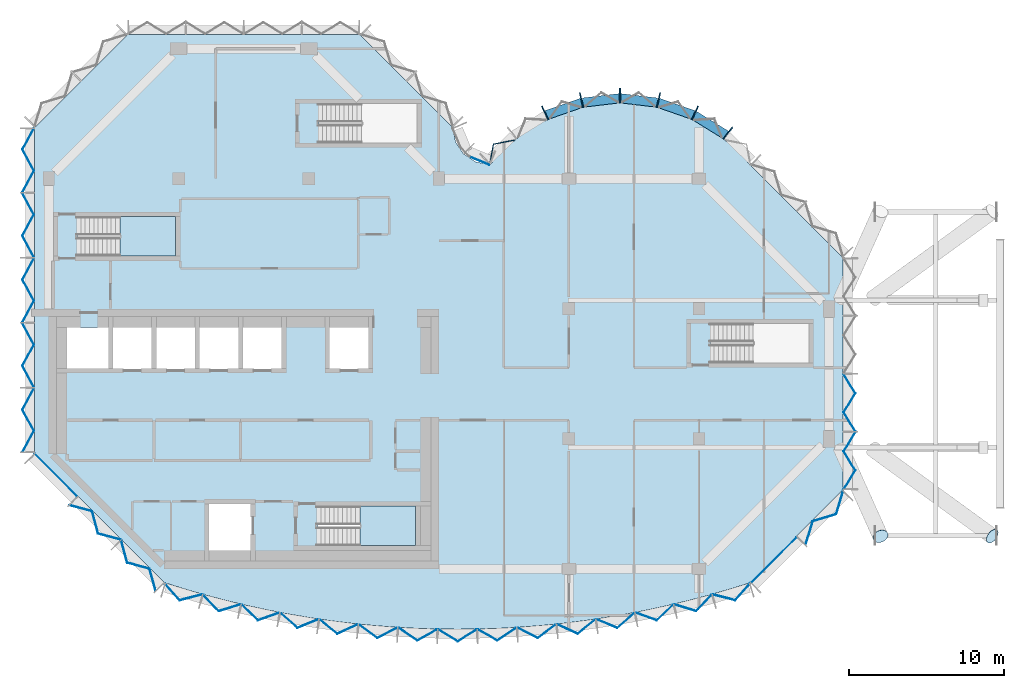
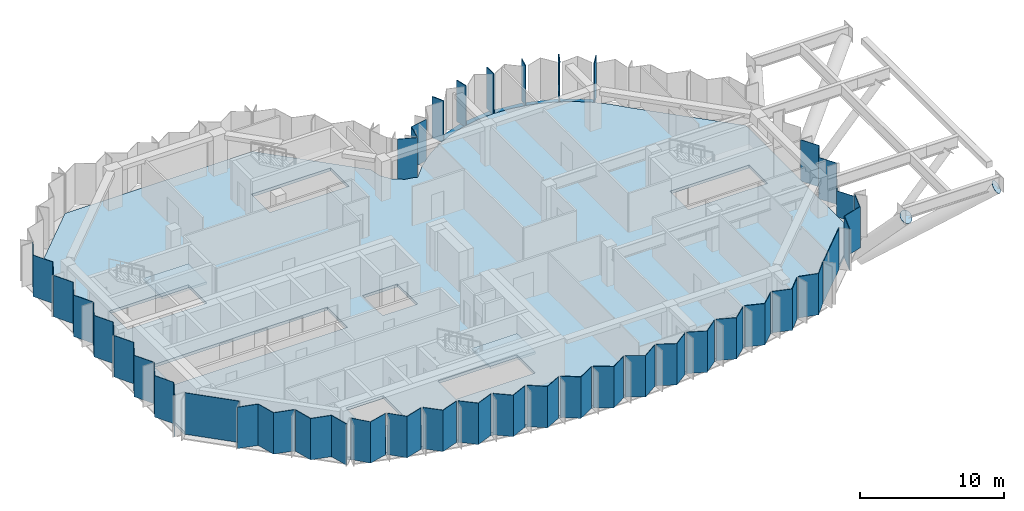
# One storey, part 3 of 11: 31 plates, 11 members, 3 slabs, 9 elements without a shape of their own.
"""IFC4 building model written with IfcOpenShell, lengths in metres."""

import ifcopenshell
import ifcopenshell.guid

model = None  # the IFC model being written
_history = None  # IfcOwnerHistory: only IFC2X3 demands one
_inside = {}  # id of a spatial element -> (the spatial element, [elements in it])
_under = {}  # id of a project, library or spatial element -> (it, [spatial elements below it])
_declared = {}  # id of a project -> (the project, [libraries it declares])
_typed = {}  # id of a type object -> (the type object, [elements of that type])
_made_of = {}  # id of a material, layer set ... -> (it, [elements and type objects made of it])


def new_model(schema):
    """Start an empty IFC model of exactly this schema.

    Asked for "IFC4X3", IfcOpenShell would pick the latest addendum, in which some entities
    have other attributes; the version numbers below select the first issue.
    IFC2X3 requires an IfcOwnerHistory on every rooted entity: one is made here for all.
    """
    global model, _history
    if schema == "IFC4X3":
        model = ifcopenshell.file(schema_version=(4, 3, 0, 0))
    else:
        model = ifcopenshell.file(schema=schema)
    _inside.clear()
    _under.clear()
    _declared.clear()
    _typed.clear()
    _made_of.clear()
    _history = None
    if model.schema == "IFC2X3":
        org = make("IfcOrganization", Name="unknown")
        user = make(
            "IfcPersonAndOrganization",
            ThePerson=make("IfcPerson", FamilyName="unknown"),
            TheOrganization=org,
        )
        app = make(
            "IfcApplication",
            ApplicationDeveloper=org,
            Version="unknown",
            ApplicationFullName="unknown",
            ApplicationIdentifier="unknown",
        )
        _history = make(
            "IfcOwnerHistory",
            OwningUser=user,
            OwningApplication=app,
            ChangeAction="ADDED",
            CreationDate=0,
        )
    return model


def make(cls, **values):
    """One entity of the class cls with the attributes given. An attribute that is None is left unset."""
    return model.create_entity(
        cls, **{name: value for name, value in values.items() if value is not None}
    )


def rooted(cls, **values):
    """An entity with a GlobalId (a new one), such as an element, a storey or a relation."""
    return make(cls, GlobalId=ifcopenshell.guid.new(), OwnerHistory=_history, **values)


def si_unit(unit_type, name, prefix=None):
    """IfcSIUnit, for example si_unit("LENGTHUNIT", "METRE", prefix="MILLI")."""
    return make("IfcSIUnit", UnitType=unit_type, Prefix=prefix, Name=name)


def assignment(units):
    """IfcUnitAssignment: the units of a project."""
    return None if units is None else make("IfcUnitAssignment", Units=units)


def point(xyz):
    """IfcCartesianPoint."""
    return None if xyz is None else make("IfcCartesianPoint", Coordinates=xyz)


def direction(xyz):
    """IfcDirection."""
    return None if xyz is None else make("IfcDirection", DirectionRatios=xyz)


def frame(location, z_axis=None, x_axis=None):
    """IfcAxis2Placement3D, a coordinate frame: its origin and axes. An axis left out is left unset."""
    return make(
        "IfcAxis2Placement3D",
        Location=point(location),
        Axis=direction(z_axis),
        RefDirection=direction(x_axis),
    )


def frame_2d(location, x_axis=None):
    """IfcAxis2Placement2D, a coordinate frame in the plane: its origin and x axis."""
    return make(
        "IfcAxis2Placement2D", Location=point(location), RefDirection=direction(x_axis)
    )


def origin():
    """The frame at (0, 0, 0) with its axes left unset."""
    return frame((0.0, 0.0, 0.0))


def origin_2d():
    """The frame at (0, 0) in the plane with its x axis left unset."""
    return frame_2d((0.0, 0.0))


def place(relative_to, where):
    """IfcLocalPlacement: puts the frame where relative to a parent placement (None: the world)."""
    return make(
        "IfcLocalPlacement", PlacementRelTo=relative_to, RelativePlacement=where
    )


def context(
    kind, dimensions, precision=None, world=None, true_north=None, identifier=None
):
    """IfcGeometricRepresentationContext, for example the 3D "Model" context."""
    return make(
        "IfcGeometricRepresentationContext",
        ContextIdentifier=identifier,
        ContextType=kind,
        CoordinateSpaceDimension=dimensions,
        Precision=precision,
        WorldCoordinateSystem=world,
        TrueNorth=true_north,
    )


def subcontext(parent, identifier, kind, view, scale=None):
    """IfcGeometricRepresentationSubContext, for example "Body" below "Model"."""
    return make(
        "IfcGeometricRepresentationSubContext",
        ContextIdentifier=identifier,
        ContextType=kind,
        ParentContext=parent,
        TargetScale=scale,
        TargetView=view,
    )


def project(units=None, contexts=None):
    """IfcProject with its units and contexts."""
    return rooted(
        "IfcProject",
        Name="project",
        RepresentationContexts=contexts,
        UnitsInContext=assignment(units),
    )


def spatial(cls, under=None, at=None, **own):
    """A site, building, storey or space (cls), placed at a placement, below another one or the project."""
    s = rooted(cls, ObjectPlacement=at, **own)
    if under is not None:
        _under.setdefault(under.id(), (under, []))[1].append(s)
    return s


def polyline(points):
    """IfcPolyline through the points."""
    return make("IfcPolyline", Points=[point(p) for p in points])


def profile(cls, at=None, kind="AREA", **sizes):
    """A parametric profile (cls). Its sizes go by their IFC names, for example OverallWidth=200.0."""
    return make(cls, ProfileType=kind, Position=at, **sizes)


def rectangle(**sizes):
    """IfcRectangleProfileDef."""
    return profile("IfcRectangleProfileDef", **sizes)


def circle(**sizes):
    """IfcCircleProfileDef."""
    return profile("IfcCircleProfileDef", **sizes)


def outline(outer, holes=None, kind="AREA"):
    """IfcArbitraryClosedProfileDef: a profile drawn as a closed curve; with holes, ...WithVoids."""
    if holes is None:
        return make("IfcArbitraryClosedProfileDef", ProfileType=kind, OuterCurve=outer)
    return make(
        "IfcArbitraryProfileDefWithVoids",
        ProfileType=kind,
        OuterCurve=outer,
        InnerCurves=holes,
    )


def extrude(swept, where, along, depth):
    """IfcExtrudedAreaSolid: the profile swept, set in the frame where, extruded along a direction by depth."""
    return make(
        "IfcExtrudedAreaSolid",
        SweptArea=swept,
        Position=where,
        ExtrudedDirection=direction(along),
        Depth=depth,
    )


def shape(context_of_items, identifier, shape_type, items):
    """IfcShapeRepresentation: the items that make up one representation, for example the "Body"."""
    return make(
        "IfcShapeRepresentation",
        ContextOfItems=context_of_items,
        RepresentationIdentifier=identifier,
        RepresentationType=shape_type,
        Items=items,
    )


def material(Name=None, Category=None):
    """IfcMaterial."""
    return make("IfcMaterial", Name=Name, Category=Category)


def layer(
    of_material, thickness, ventilated=None, Name=None, Category=None, Priority=None
):
    """IfcMaterialLayer: one layer of a wall or slab, of a material (None: an air gap)."""
    return make(
        "IfcMaterialLayer",
        Material=of_material,
        LayerThickness=thickness,
        IsVentilated=ventilated,
        Name=Name,
        Category=Category,
        Priority=Priority,
    )


def layer_set(layers, Name=None):
    """IfcMaterialLayerSet."""
    return make("IfcMaterialLayerSet", MaterialLayers=layers, LayerSetName=Name)


def material_profile(
    of_material, cross_section, Name=None, Category=None, Priority=None
):
    """IfcMaterialProfile: a cross section and its material."""
    return make(
        "IfcMaterialProfile",
        Name=Name,
        Material=of_material,
        Profile=cross_section,
        Priority=Priority,
        Category=Category,
    )


def profile_set(profiles, Name=None, composite=None):
    """IfcMaterialProfileSet."""
    return make(
        "IfcMaterialProfileSet",
        Name=Name,
        MaterialProfiles=profiles,
        CompositeProfile=composite,
    )


def made_of(thing, what):
    """Note that an element or type object is made of a material, layer set ...; save() writes the relation."""
    if what is not None:
        _made_of.setdefault(what.id(), (what, []))[1].append(thing)
    return thing


def type_object(cls, material=None, **own):
    """A type object (cls), such as IfcWallType, which elements share."""
    return made_of(rooted(cls, **own), material)


def element(
    cls,
    number,
    at=None,
    inside=None,
    cuts=None,
    type_object=None,
    material=None,
    context=None,
    identifier="Body",
    shape_type=None,
    held_by="IfcProductDefinitionShape",
    body=None,
    shapes=None,
    **own,
):
    """One element of the class cls, such as IfcWall. Its Tag is "e" and its number.

    at: its placement. inside: the storey or other place that contains it. cuts: it is an
    opening in that element (IfcRelVoidsElement). A single representation is given by context,
    identifier, shape_type and body (its items); several are given by shapes. held_by: the class
    of the entity that holds the representations. save() writes the other relations.
    """
    e = rooted(cls, Tag="e%d" % number, ObjectPlacement=at, **own)
    if body is not None:
        shapes = [shape(context, identifier, shape_type, body)]
    if shapes is not None:
        e.Representation = make(held_by, Representations=shapes)
    if inside is not None:
        _inside.setdefault(inside.id(), (inside, []))[1].append(e)
    if cuts is not None:
        rooted(
            "IfcRelVoidsElement", RelatingBuildingElement=cuts, RelatedOpeningElement=e
        )
    if type_object is not None:
        _typed.setdefault(type_object.id(), (type_object, []))[1].append(e)
    return made_of(e, material)


def aggregate(whole, parts):
    """IfcRelAggregates: a whole, such as a stair, and the parts it consists of."""
    return rooted("IfcRelAggregates", RelatingObject=whole, RelatedObjects=parts)


def save(model, path):
    """Write the relations noted so far, then the file.

    IfcRelAggregates (storeys below a building ...), IfcRelContainedInSpatialStructure (elements
    in a storey), IfcRelDefinesByType, IfcRelAssociatesMaterial and IfcRelDeclares: one each for
    every whole, place, type object, material and project.
    """
    for whole, parts in _under.values():
        aggregate(whole, parts)
    for where, things in _inside.values():
        rooted(
            "IfcRelContainedInSpatialStructure",
            RelatedElements=things,
            RelatingStructure=where,
        )
    for kind, things in _typed.values():
        rooted("IfcRelDefinesByType", RelatedObjects=things, RelatingType=kind)
    for what, things in _made_of.values():
        rooted("IfcRelAssociatesMaterial", RelatedObjects=things, RelatingMaterial=what)
    for by, libraries in _declared.values():
        rooted("IfcRelDeclares", RelatingContext=by, RelatedDefinitions=libraries)
    model.write(path)


model = new_model("IFC4")

# Units and contexts
model_context = context("Model", 3, precision=1e-05, world=origin(), true_north=direction((0.0, 1.0)))
body_context = subcontext(model_context, "Body", "Model", "MODEL_VIEW")
ifc_project = project(units=[si_unit("LENGTHUNIT", "METRE"), si_unit("AREAUNIT", "SQUARE_METRE"), si_unit("VOLUMEUNIT", "CUBIC_METRE"), si_unit("PLANEANGLEUNIT", "RADIAN"), si_unit("MASSUNIT", "GRAM", prefix="KILO")], contexts=[model_context])

# Site, building, storey
site_placement = place(None, origin())
site = spatial("IfcSite", under=ifc_project, at=site_placement, CompositionType="ELEMENT")
building_placement = place(site_placement, origin())
building = spatial("IfcBuilding", under=site, at=building_placement, Name="Brevane Broadcast Tower", CompositionType="ELEMENT")
storey_placement = place(building_placement, frame((0.0, 0.0, 219.300048828125)))
storey = spatial("IfcBuildingStorey", under=building, at=storey_placement, Name="L55", CompositionType="ELEMENT", Elevation=219.300048828125)

# Curtain wall, members
ifc_material_1 = material(Name="Aluminium 6063-T6 bronze anodised", Category="aluminium")
curtain_wall_type = type_object("IfcCurtainWallType", Name="CW-1 curtain wall", PredefinedType="NOTDEFINED", material=ifc_material_1)
curtain_wall_1_placement = place(storey_placement, origin())
curtain_wall_1 = element("IfcCurtainWall", 1, at=curtain_wall_1_placement, inside=storey, type_object=curtain_wall_type, Name="CW-1 typical tilted unit L55 east bow", PredefinedType="NOTDEFINED")
ifc_material_profile_1 = material_profile(ifc_material_1, rectangle(XDim=0.949951171875, YDim=0.070068359375, at=origin_2d()), Name="RECT 70x950")
ifc_profile_set_1 = profile_set([ifc_material_profile_1], Name="Aluminium 6063-T6 bronze anodised")
member_type_1 = type_object("IfcMemberType", Name="CW-1 mullion 70x950", PredefinedType="MULLION", material=ifc_profile_set_1)
member_1_placement = place(storey_placement, frame((43.8720703125, 28.1455078125, -0.150146484375), z_axis=(0.0, 0.0, 1.0), x_axis=(-0.614769698862, -0.788706673841, 0.0)))
member_1 = element("IfcMember", 2, at=member_1_placement, type_object=member_type_1, Name="CW-1 mullion", PredefinedType="MULLION", context=body_context, shape_type="SweptSolid", body=[
    extrude(rectangle(XDim=0.949951171875, YDim=0.070068359375, at=origin_2d()), origin(), (0.0, 0.0, 1.0), 3.5),
])
member_2_placement = place(storey_placement, frame((41.746826171875, 29.4580078125, -0.150146484375), z_axis=(0.0, 0.0, 1.0), x_axis=(-0.429933580394, -0.902860518823, 0.0)))
member_2 = element("IfcMember", 3, at=member_2_placement, type_object=member_type_1, Name="CW-1 mullion", PredefinedType="MULLION", context=body_context, shape_type="SweptSolid", body=[
    extrude(rectangle(XDim=0.949951171875, YDim=0.070068359375, at=origin_2d()), origin(), (0.0, 0.0, 1.0), 3.5),
])
member_3_placement = place(storey_placement, frame((39.38818359375, 30.28076171875, -0.150146484375), z_axis=(0.0, 0.0, 1.0), x_axis=(-0.224806535479, -0.974403418306, 0.0)))
member_3 = element("IfcMember", 4, at=member_3_placement, type_object=member_type_1, Name="CW-1 mullion", PredefinedType="MULLION", context=body_context, shape_type="SweptSolid", body=[
    extrude(rectangle(XDim=0.949951171875, YDim=0.070068359375, at=origin_2d()), origin(), (0.0, 0.0, 1.0), 3.5),
])
member_4_placement = place(storey_placement, frame((36.89990234375, 30.574951171875, -0.150146484375), z_axis=(0.0, 0.0, 1.0), x_axis=(0.0, -1.0, 0.0)))
member_4 = element("IfcMember", 5, at=member_4_placement, type_object=member_type_1, Name="CW-1 mullion", PredefinedType="MULLION", context=body_context, shape_type="SweptSolid", body=[
    extrude(rectangle(XDim=0.949951171875, YDim=0.070068359375, at=origin_2d()), origin(), (0.0, 0.0, 1.0), 3.5),
])
member_5_placement = place(storey_placement, frame((34.411865234375, 30.28076171875, -0.150146484375), z_axis=(0.0, 0.0, 1.0), x_axis=(0.224806535479, -0.974403418306, 0.0)))
member_5 = element("IfcMember", 6, at=member_5_placement, type_object=member_type_1, Name="CW-1 mullion", PredefinedType="MULLION", context=body_context, shape_type="SweptSolid", body=[
    extrude(rectangle(XDim=0.949951171875, YDim=0.070068359375, at=origin_2d()), origin(), (0.0, 0.0, 1.0), 3.5),
])
member_6_placement = place(storey_placement, frame((32.05322265625, 29.4580078125, -0.150146484375), z_axis=(0.0, 0.0, 1.0), x_axis=(0.429933580394, -0.902860518823, 0.0)))
member_6 = element("IfcMember", 7, at=member_6_placement, type_object=member_type_1, Name="CW-1 mullion", PredefinedType="MULLION", context=body_context, shape_type="SweptSolid", body=[
    extrude(rectangle(XDim=0.949951171875, YDim=0.070068359375, at=origin_2d()), origin(), (0.0, 0.0, 1.0), 3.5),
])
ifc_material_profile_2 = material_profile(ifc_material_1, rectangle(XDim=0.60009765625, YDim=0.10009765625, at=origin_2d()), Name="RECT 100x600")
ifc_profile_set_2 = profile_set([ifc_material_profile_2], Name="Aluminium 6063-T6 bronze anodised")
member_type_2 = type_object("IfcMemberType", Name="CW-1 transom 100x600", PredefinedType="USERDEFINED", material=ifc_profile_set_2)
member_7_placement = place(storey_placement, frame((43.7421875, 28.023193359375, -0.199951171875), z_axis=(-0.850810063131, 0.525473345162, 0.0), x_axis=(-0.525473345162, -0.850810063131, 0.0)))
member_7 = element("IfcMember", 8, at=member_7_placement, type_object=member_type_2, Name="CW-1 transom", ObjectType="TRANSOM", PredefinedType="USERDEFINED", context=body_context, shape_type="SweptSolid", body=[
    extrude(rectangle(XDim=0.60009765625, YDim=0.10009765625, at=origin_2d()), origin(), (0.0, 0.0, 1.0), 2.39453125),
])
member_8_placement = place(storey_placement, frame((41.63623046875, 29.314208984375, -0.199951171875), z_axis=(-0.944197969542, 0.329378497041, 0.0), x_axis=(-0.329378497041, -0.944197969542, 0.0)))
member_8 = element("IfcMember", 9, at=member_8_placement, type_object=member_type_2, Name="CW-1 transom", ObjectType="TRANSOM", PredefinedType="USERDEFINED", context=body_context, shape_type="SweptSolid", body=[
    extrude(rectangle(XDim=0.60009765625, YDim=0.10009765625, at=origin_2d()), origin(), (0.0, 0.0, 1.0), 2.394775390625),
])
member_9_placement = place(storey_placement, frame((39.30029296875, 30.117431640625, -0.199951171875), z_axis=(-0.993062061831, 0.117591417, 0.0), x_axis=(-0.117591417, -0.993062061831, 0.0)))
member_9 = element("IfcMember", 10, at=member_9_placement, type_object=member_type_2, Name="CW-1 transom", ObjectType="TRANSOM", PredefinedType="USERDEFINED", context=body_context, shape_type="SweptSolid", body=[
    extrude(rectangle(XDim=0.60009765625, YDim=0.10009765625, at=origin_2d()), origin(), (0.0, 0.0, 1.0), 2.39794921875),
])
member_10_placement = place(storey_placement, frame((36.880859375, 30.3994140625, -0.199951171875), z_axis=(-0.993060653805, -0.117603307202, 0.0), x_axis=(0.117603307202, -0.993060653805, 0.0)))
member_10 = element("IfcMember", 11, at=member_10_placement, type_object=member_type_2, Name="CW-1 transom", ObjectType="TRANSOM", PredefinedType="USERDEFINED", context=body_context, shape_type="SweptSolid", body=[
    extrude(rectangle(XDim=0.60009765625, YDim=0.10009765625, at=origin_2d()), origin(), (0.0, 0.0, 1.0), 2.397705078125),
])
member_11_placement = place(storey_placement, frame((34.425048828125, 30.10302734375, -0.199951171875), z_axis=(-0.944197969542, -0.329378497041, 0.0), x_axis=(0.329378497041, -0.944197969542, 0.0)))
member_11 = element("IfcMember", 12, at=member_11_placement, type_object=member_type_2, Name="CW-1 transom", ObjectType="TRANSOM", PredefinedType="USERDEFINED", context=body_context, shape_type="SweptSolid", body=[
    extrude(rectangle(XDim=0.60009765625, YDim=0.10009765625, at=origin_2d()), origin(), (0.0, 0.0, 1.0), 2.394775390625),
])

# Curtain wall, plate
curtain_wall_2_placement = place(storey_placement, origin())
curtain_wall_2 = element("IfcCurtainWall", 13, at=curtain_wall_2_placement, inside=storey, type_object=curtain_wall_type, Name="CW-1 typical tilted unit L55 east end", PredefinedType="NOTDEFINED")
ifc_material_2 = material(Name="Laminated glass bronze-tinted", Category="glass")
ifc_layer_1 = layer(ifc_material_2, 0.0400390625)
ifc_layer_set_1 = layer_set([ifc_layer_1], Name="CW glass panel 40")
plate_type_1 = type_object("IfcPlateType", Name="CW glass panel 40", PredefinedType="CURTAIN_PANEL", material=ifc_layer_set_1)
plate_1_placement = place(storey_placement, frame((0.0, 0.0, -0.150146484375)))
plate_1 = element("IfcPlate", 14, at=plate_1_placement, type_object=plate_type_1, Name="CW-1 glass panel", PredefinedType="CURTAIN_PANEL", context=body_context, shape_type="SweptSolid", body=[
    extrude(outline(polyline([(51.32666015625, 5.135009765625), (51.373291015625, 5.135009765625), (52.117919921875, 6.36181640625), (51.373291015625, 7.58837890625), (52.117919921875, 8.81494140625), (52.071044921875, 8.81494140625), (51.32666015625, 7.58837890625), (52.071044921875, 6.36181640625), (51.32666015625, 5.135009765625)])), origin(), (0.0, 0.0, 1.0), 2.2001953125),
])

# Curtain wall, plates
curtain_wall_3_placement = place(storey_placement, origin())
curtain_wall_3 = element("IfcCurtainWall", 15, at=curtain_wall_3_placement, inside=storey, type_object=curtain_wall_type, Name="CW-1 typical tilted unit L55 south bow", PredefinedType="NOTDEFINED")
ifc_layer_2 = layer(ifc_material_2, 0.0400390625)
ifc_layer_set_2 = layer_set([ifc_layer_2], Name="CW tall glass panel 40")
plate_type_2 = type_object("IfcPlateType", Name="CW tall glass panel 40", PredefinedType="CURTAIN_PANEL", material=ifc_layer_set_2)
plate_2_placement = place(storey_placement, frame((0.0, 0.0, -0.150146484375)))
plate_2 = element("IfcPlate", 16, at=plate_2_placement, type_object=plate_type_2, Name="CW-1 glass panel", PredefinedType="CURTAIN_PANEL", context=body_context, shape_type="SweptSolid", body=[
    extrude(outline(polyline([(7.525634765625, -0.935791015625), (7.51220703125, -0.980712890625), (8.46337890625, -2.044921875), (9.862548828125, -1.6884765625), (9.875, -1.64404296875), (8.47705078125, -2.000244140625), (7.525634765625, -0.935791015625)])), origin(), (0.0, 0.0, 1.0), 3.5),
])
plate_3_placement = place(storey_placement, frame((0.0, 0.0, -0.150146484375)))
plate_3 = element("IfcPlate", 17, at=plate_3_placement, type_object=plate_type_2, Name="CW-1 glass panel", PredefinedType="CURTAIN_PANEL", context=body_context, shape_type="SweptSolid", body=[
    extrude(outline(polyline([(10.01708984375, -1.68408203125), (10.00439453125, -1.728759765625), (10.984130859375, -2.749755859375), (12.345947265625, -2.32958984375), (12.3564453125, -2.284423828125), (10.99609375, -2.7041015625), (10.01708984375, -1.68408203125)])), origin(), (0.0, 0.0, 1.0), 3.5),
])
plate_4_placement = place(storey_placement, frame((0.0, 0.0, -0.150146484375)))
plate_4 = element("IfcPlate", 18, at=plate_4_placement, type_object=plate_type_2, Name="CW-1 glass panel", PredefinedType="CURTAIN_PANEL", context=body_context, shape_type="SweptSolid", body=[
    extrude(outline(polyline([(12.5, -2.318603515625), (12.489501953125, -2.36376953125), (13.513427734375, -3.343505859375), (14.85400390625, -2.866455078125), (14.862548828125, -2.82080078125), (13.523193359375, -3.29736328125), (12.5, -2.318603515625)])), origin(), (0.0, 0.0, 1.0), 3.5),
])
plate_5_placement = place(storey_placement, frame((0.0, 0.0, -0.150146484375)))
plate_5 = element("IfcPlate", 19, at=plate_5_placement, type_object=plate_type_2, Name="CW-1 glass panel", PredefinedType="CURTAIN_PANEL", context=body_context, shape_type="SweptSolid", body=[
    extrude(outline(polyline([(15.007568359375, -2.8486328125), (14.998779296875, -2.894287109375), (16.065185546875, -3.830810546875), (17.382080078125, -3.298095703125), (17.388916015625, -3.252197265625), (16.072998046875, -3.78466796875), (15.007568359375, -2.8486328125)])), origin(), (0.0, 0.0, 1.0), 3.5),
])
plate_6_placement = place(storey_placement, frame((0.0, 0.0, -0.150146484375)))
plate_6 = element("IfcPlate", 20, at=plate_6_placement, type_object=plate_type_2, Name="CW-1 glass panel", PredefinedType="CURTAIN_PANEL", context=body_context, shape_type="SweptSolid", body=[
    extrude(outline(polyline([(17.534912109375, -3.273681640625), (17.528076171875, -3.319580078125), (18.63525390625, -4.211181640625), (19.926025390625, -3.623779296875), (19.930908203125, -3.57763671875), (18.64111328125, -4.164794921875), (17.534912109375, -3.273681640625)])), origin(), (0.0, 0.0, 1.0), 3.5),
])
plate_7_placement = place(storey_placement, frame((0.0, 0.0, -0.150146484375)))
plate_7 = element("IfcPlate", 21, at=plate_7_placement, type_object=plate_type_2, Name="CW-1 glass panel", PredefinedType="CURTAIN_PANEL", context=body_context, shape_type="SweptSolid", body=[
    extrude(outline(polyline([(20.07763671875, -3.593017578125), (20.07275390625, -3.638916015625), (21.21875, -4.48388671875), (22.4814453125, -3.843017578125), (22.484375, -3.796630859375), (21.22265625, -4.437255859375), (20.07763671875, -3.593017578125)])), origin(), (0.0, 0.0, 1.0), 3.5),
])
plate_8_placement = place(storey_placement, frame((0.0, 0.0, -0.150146484375)))
plate_8 = element("IfcPlate", 22, at=plate_8_placement, type_object=plate_type_2, Name="CW-1 glass panel", PredefinedType="CURTAIN_PANEL", context=body_context, shape_type="SweptSolid", body=[
    extrude(outline(polyline([(22.631591796875, -3.8056640625), (22.628662109375, -3.851806640625), (23.8115234375, -4.6484375), (25.043701171875, -3.955322265625), (25.044921875, -3.908935546875), (23.8134765625, -4.6015625), (22.631591796875, -3.8056640625)])), origin(), (0.0, 0.0, 1.0), 3.5),
])
plate_9_placement = place(storey_placement, frame((0.0, 0.0, -0.150146484375)))
plate_9 = element("IfcPlate", 23, at=plate_9_placement, type_object=plate_type_2, Name="CW-1 glass panel", PredefinedType="CURTAIN_PANEL", context=body_context, shape_type="SweptSolid", body=[
    extrude(outline(polyline([(25.1923828125, -3.91162109375), (25.19140625, -3.957763671875), (26.413818359375, -4.703369140625), (27.6181640625, -3.95849609375), (27.6171875, -3.912109375), (26.41357421875, -4.656494140625), (25.1923828125, -3.91162109375)])), origin(), (0.0, 0.0, 1.0), 3.5),
])
plate_10_placement = place(storey_placement, frame((0.0, 0.0, -0.150146484375)))
plate_10 = element("IfcPlate", 24, at=plate_10_placement, type_object=plate_type_2, Name="CW-1 glass panel", PredefinedType="CURTAIN_PANEL", context=body_context, shape_type="SweptSolid", body=[
    extrude(outline(polyline([(27.745849609375, -3.9091796875), (27.746826171875, -3.955810546875), (28.98388671875, -4.648681640625), (30.17138671875, -3.851806640625), (30.16845703125, -3.8056640625), (28.98193359375, -4.601806640625), (27.745849609375, -3.9091796875)])), origin(), (0.0, 0.0, 1.0), 3.5),
])
plate_11_placement = place(storey_placement, frame((0.0, 0.0, -0.150146484375)))
plate_11 = element("IfcPlate", 25, at=plate_11_placement, type_object=plate_type_2, Name="CW-1 glass panel", PredefinedType="CURTAIN_PANEL", context=body_context, shape_type="SweptSolid", body=[
    extrude(outline(polyline([(30.315673828125, -3.796630859375), (30.318603515625, -3.843017578125), (31.581298828125, -4.48388671875), (32.727294921875, -3.638916015625), (32.722412109375, -3.593017578125), (31.577392578125, -4.437255859375), (30.315673828125, -3.796630859375)])), origin(), (0.0, 0.0, 1.0), 3.5),
])
plate_12_placement = place(storey_placement, frame((0.0, 0.0, -0.150146484375)))
plate_12 = element("IfcPlate", 26, at=plate_12_placement, type_object=plate_type_2, Name="CW-1 glass panel", PredefinedType="CURTAIN_PANEL", context=body_context, shape_type="SweptSolid", body=[
    extrude(outline(polyline([(32.869140625, -3.57763671875), (32.8740234375, -3.623779296875), (34.164794921875, -4.211181640625), (35.27197265625, -3.319580078125), (35.26513671875, -3.273681640625), (34.158935546875, -4.164794921875), (32.869140625, -3.57763671875)])), origin(), (0.0, 0.0, 1.0), 3.5),
])
plate_13_placement = place(storey_placement, frame((0.0, 0.0, -0.150146484375)))
plate_13 = element("IfcPlate", 27, at=plate_13_placement, type_object=plate_type_2, Name="CW-1 glass panel", PredefinedType="CURTAIN_PANEL", context=body_context, shape_type="SweptSolid", body=[
    extrude(outline(polyline([(35.4111328125, -3.252197265625), (35.41796875, -3.298095703125), (36.73486328125, -3.830810546875), (37.80126953125, -2.894287109375), (37.79248046875, -2.8486328125), (36.726806640625, -3.78466796875), (35.4111328125, -3.252197265625)])), origin(), (0.0, 0.0, 1.0), 3.5),
])
plate_14_placement = place(storey_placement, frame((0.0, 0.0, -0.150146484375)))
plate_14 = element("IfcPlate", 28, at=plate_14_placement, type_object=plate_type_2, Name="CW-1 glass panel", PredefinedType="CURTAIN_PANEL", context=body_context, shape_type="SweptSolid", body=[
    extrude(outline(polyline([(37.9375, -2.82080078125), (37.946044921875, -2.866455078125), (39.28662109375, -3.343505859375), (40.310546875, -2.36376953125), (40.2998046875, -2.318603515625), (39.276611328125, -3.29736328125), (37.9375, -2.82080078125)])), origin(), (0.0, 0.0, 1.0), 3.5),
])
plate_15_placement = place(storey_placement, frame((0.0, 0.0, -0.150146484375)))
plate_15 = element("IfcPlate", 29, at=plate_15_placement, type_object=plate_type_2, Name="CW-1 glass panel", PredefinedType="CURTAIN_PANEL", context=body_context, shape_type="SweptSolid", body=[
    extrude(outline(polyline([(40.443603515625, -2.284423828125), (40.4541015625, -2.32958984375), (41.81591796875, -2.749755859375), (42.79541015625, -1.728759765625), (42.782958984375, -1.68408203125), (41.803955078125, -2.7041015625), (40.443603515625, -2.284423828125)])), origin(), (0.0, 0.0, 1.0), 3.5),
])
plate_16_placement = place(storey_placement, frame((0.0, 0.0, -0.150146484375)))
plate_16 = element("IfcPlate", 30, at=plate_16_placement, type_object=plate_type_2, Name="CW-1 glass panel", PredefinedType="CURTAIN_PANEL", context=body_context, shape_type="SweptSolid", body=[
    extrude(outline(polyline([(42.925048828125, -1.64404296875), (42.9375, -1.6884765625), (44.336669921875, -2.044921875), (45.287841796875, -0.980712890625), (45.2744140625, -0.935791015625), (44.322998046875, -2.000244140625), (42.925048828125, -1.64404296875)])), origin(), (0.0, 0.0, 1.0), 3.5),
])
aggregate(curtain_wall_3, [plate_2, plate_3, plate_4, plate_5, plate_6, plate_7, plate_8, plate_9, plate_10, plate_11, plate_12, plate_13, plate_14, plate_15, plate_16])

curtain_wall_4_placement = place(storey_placement, origin())
curtain_wall_4 = element("IfcCurtainWall", 31, at=curtain_wall_4_placement, inside=storey, type_object=curtain_wall_type, Name="CW-1 typical tilted unit L55 south-east chamfer", PredefinedType="NOTDEFINED")
plate_17_placement = place(storey_placement, frame((0.0, 0.0, -0.150146484375)))
plate_17 = element("IfcPlate", 32, at=plate_17_placement, type_object=plate_type_2, Name="CW-1 glass panel", PredefinedType="CURTAIN_PANEL", context=body_context, shape_type="SweptSolid", body=[
    extrude(outline(polyline([(45.345947265625, -0.896484375), (48.29638671875, 2.053955078125), (48.32470703125, 2.02587890625), (45.374267578125, -0.9248046875), (45.345947265625, -0.896484375)])), origin(), (0.0, 0.0, 1.0), 3.5),
])
plate_18_placement = place(storey_placement, frame((0.0, 0.0, -0.150146484375)))
plate_18 = element("IfcPlate", 33, at=plate_18_placement, type_object=plate_type_2, Name="CW-1 glass panel", PredefinedType="CURTAIN_PANEL", context=body_context, shape_type="SweptSolid", body=[
    extrude(outline(polyline([(48.870361328125, 1.5791015625), (48.902587890625, 1.547119140625), (49.359619140625, 3.056884765625), (50.869384765625, 3.513916015625), (51.32666015625, 5.02392578125), (51.294677734375, 5.055908203125), (50.83740234375, 3.546142578125), (49.32763671875, 3.0888671875), (48.870361328125, 1.5791015625)])), origin(), (0.0, 0.0, 1.0), 3.5),
])
aggregate(curtain_wall_4, [plate_17, plate_18])

# Plate
plate_19_placement = place(storey_placement, frame((0.0, 0.0, -0.150146484375)))
plate_19 = element("IfcPlate", 34, at=plate_19_placement, type_object=plate_type_2, Name="CW-1 glass panel", PredefinedType="CURTAIN_PANEL", context=body_context, shape_type="SweptSolid", body=[
    extrude(outline(polyline([(52.071044921875, 8.885009765625), (52.117919921875, 8.885009765625), (51.373291015625, 10.11181640625), (52.117919921875, 11.33837890625), (51.373291015625, 12.56494140625), (51.32666015625, 12.56494140625), (52.071044921875, 11.33837890625), (51.32666015625, 10.11181640625), (52.071044921875, 8.885009765625)])), origin(), (0.0, 0.0, 1.0), 3.5),
])

aggregate(curtain_wall_2, [plate_1, plate_19])

plate_20_placement = place(storey_placement, frame((0.0, 0.0, -0.150146484375)))
plate_20 = element("IfcPlate", 35, at=plate_20_placement, type_object=plate_type_2, Name="CW-1 glass panel", PredefinedType="CURTAIN_PANEL", context=body_context, shape_type="SweptSolid", body=[
    extrude(outline(polyline([(30.089111328125, 27.67626953125), (30.0615234375, 27.71142578125), (28.7138671875, 27.447265625), (28.471923828125, 26.17919921875), (28.506103515625, 26.14404296875), (28.748046875, 27.4130859375), (30.089111328125, 27.67626953125)])), origin(), (0.0, 0.0, 1.0), 3.5),
])

aggregate(curtain_wall_1, [member_1, member_2, member_3, member_4, member_5, member_6, member_7, member_8, member_9, member_10, member_11, plate_20])

# Curtain wall, plate
curtain_wall_5_placement = place(storey_placement, origin())
curtain_wall_5 = element("IfcCurtainWall", 36, at=curtain_wall_5_placement, inside=storey, type_object=curtain_wall_type, Name="CW-1 typical tilted unit L55 inner corner", PredefinedType="NOTDEFINED")
plate_21_placement = place(storey_placement, frame((0.0, 0.0, -0.150146484375)))
plate_21 = element("IfcPlate", 37, at=plate_21_placement, type_object=plate_type_2, Name="CW-1 glass panel", PredefinedType="CURTAIN_PANEL", context=body_context, shape_type="SweptSolid", body=[
    extrude(outline(polyline([(28.45166015625, 26.07470703125), (28.466796875, 26.111572265625), (27.2021484375, 26.635498046875), (27.17138671875, 26.60498046875), (28.45166015625, 26.07470703125)])), origin(), (0.0, 0.0, 1.0), 3.5),
])
aggregate(curtain_wall_5, [plate_21])

# Curtain wall, plates
curtain_wall_6_placement = place(storey_placement, origin())
curtain_wall_6 = element("IfcCurtainWall", 38, at=curtain_wall_6_placement, inside=storey, type_object=curtain_wall_type, Name="CW-1 typical tilted unit L55 west face", PredefinedType="NOTDEFINED")
plate_22_placement = place(storey_placement, frame((0.0, 0.0, -0.150146484375)))
plate_22 = element("IfcPlate", 39, at=plate_22_placement, type_object=plate_type_2, Name="CW-1 glass panel", PredefinedType="CURTAIN_PANEL", context=body_context, shape_type="SweptSolid", body=[
    extrude(outline(polyline([(-0.92724609375, 28.465087890625), (-0.97265625, 28.465087890625), (-1.717041015625, 27.08837890625), (-0.97265625, 25.711669921875), (-1.717041015625, 24.3349609375), (-1.671630859375, 24.3349609375), (-0.92724609375, 25.711669921875), (-1.671630859375, 27.08837890625), (-0.92724609375, 28.465087890625)])), origin(), (0.0, 0.0, 1.0), 3.5),
])
plate_23_placement = place(storey_placement, frame((0.0, 0.0, -0.150146484375)))
plate_23 = element("IfcPlate", 40, at=plate_23_placement, type_object=plate_type_2, Name="CW-1 glass panel", PredefinedType="CURTAIN_PANEL", context=body_context, shape_type="SweptSolid", body=[
    extrude(outline(polyline([(-1.671630859375, 24.264892578125), (-1.717041015625, 24.264892578125), (-0.97265625, 22.88818359375), (-1.717041015625, 21.51171875), (-0.97265625, 20.135009765625), (-0.92724609375, 20.135009765625), (-1.671630859375, 21.51171875), (-0.92724609375, 22.88818359375), (-1.671630859375, 24.264892578125)])), origin(), (0.0, 0.0, 1.0), 3.5),
])
plate_24_placement = place(storey_placement, frame((0.0, 0.0, -0.150146484375)))
plate_24 = element("IfcPlate", 41, at=plate_24_placement, type_object=plate_type_2, Name="CW-1 glass panel", PredefinedType="CURTAIN_PANEL", context=body_context, shape_type="SweptSolid", body=[
    extrude(outline(polyline([(-0.92724609375, 20.06494140625), (-0.97265625, 20.06494140625), (-1.717041015625, 18.688232421875), (-0.97265625, 17.311767578125), (-1.717041015625, 15.93505859375), (-1.671630859375, 15.93505859375), (-0.92724609375, 17.311767578125), (-1.671630859375, 18.688232421875), (-0.92724609375, 20.06494140625)])), origin(), (0.0, 0.0, 1.0), 3.5),
])
plate_25_placement = place(storey_placement, frame((0.0, 0.0, -0.150146484375)))
plate_25 = element("IfcPlate", 42, at=plate_25_placement, type_object=plate_type_2, Name="CW-1 glass panel", PredefinedType="CURTAIN_PANEL", context=body_context, shape_type="SweptSolid", body=[
    extrude(outline(polyline([(-1.671630859375, 15.864990234375), (-1.717041015625, 15.864990234375), (-0.97265625, 14.48828125), (-1.717041015625, 13.11181640625), (-0.97265625, 11.735107421875), (-0.92724609375, 11.735107421875), (-1.671630859375, 13.11181640625), (-0.92724609375, 14.48828125), (-1.671630859375, 15.864990234375)])), origin(), (0.0, 0.0, 1.0), 3.5),
])
plate_26_placement = place(storey_placement, frame((0.0, 0.0, -0.150146484375)))
plate_26 = element("IfcPlate", 43, at=plate_26_placement, type_object=plate_type_2, Name="CW-1 glass panel", PredefinedType="CURTAIN_PANEL", context=body_context, shape_type="SweptSolid", body=[
    extrude(outline(polyline([(-0.92724609375, 11.6650390625), (-0.97265625, 11.6650390625), (-1.717041015625, 10.288330078125), (-0.97265625, 8.91162109375), (-1.717041015625, 7.534912109375), (-1.671630859375, 7.534912109375), (-0.92724609375, 8.91162109375), (-1.671630859375, 10.288330078125), (-0.92724609375, 11.6650390625)])), origin(), (0.0, 0.0, 1.0), 3.5),
])
aggregate(curtain_wall_6, [plate_22, plate_23, plate_24, plate_25, plate_26])

curtain_wall_7_placement = place(storey_placement, origin())
curtain_wall_7 = element("IfcCurtainWall", 44, at=curtain_wall_7_placement, inside=storey, type_object=curtain_wall_type, Name="CW-1 typical tilted unit L55 south-west chamfer", PredefinedType="NOTDEFINED")
plate_27_placement = place(storey_placement, frame((0.0, 0.0, -0.150146484375)))
plate_27 = element("IfcPlate", 45, at=plate_27_placement, type_object=plate_type_2, Name="CW-1 glass panel", PredefinedType="CURTAIN_PANEL", context=body_context, shape_type="SweptSolid", body=[
    extrude(outline(polyline([(-0.896484375, 7.4541015625), (1.85400390625, 4.70361328125), (1.82568359375, 4.67529296875), (-0.9248046875, 7.42578125), (-0.896484375, 7.4541015625)])), origin(), (0.0, 0.0, 1.0), 3.5),
])
plate_28_placement = place(storey_placement, frame((0.0, 0.0, -0.150146484375)))
plate_28 = element("IfcPlate", 46, at=plate_28_placement, type_object=plate_type_2, Name="CW-1 glass panel", PredefinedType="CURTAIN_PANEL", context=body_context, shape_type="SweptSolid", body=[
    extrude(outline(polyline([(1.37939453125, 4.1298828125), (1.3466796875, 4.09716796875), (2.789794921875, 3.706787109375), (3.180419921875, 2.263671875), (4.62353515625, 1.873046875), (4.65625, 1.90576171875), (3.212890625, 2.296142578125), (2.822509765625, 3.739501953125), (1.37939453125, 4.1298828125)])), origin(), (0.0, 0.0, 1.0), 3.5),
])
plate_29_placement = place(storey_placement, frame((0.0, 0.0, -0.150146484375)))
plate_29 = element("IfcPlate", 47, at=plate_29_placement, type_object=plate_type_2, Name="CW-1 glass panel", PredefinedType="CURTAIN_PANEL", context=body_context, shape_type="SweptSolid", body=[
    extrude(outline(polyline([(4.705810546875, 1.856201171875), (4.673095703125, 1.823486328125), (5.063720703125, 0.38037109375), (6.5068359375, -0.010009765625), (6.897216796875, -1.453369140625), (6.9296875, -1.420654296875), (6.539306640625, 0.0224609375), (5.09619140625, 0.4130859375), (4.705810546875, 1.856201171875)])), origin(), (0.0, 0.0, 1.0), 3.5),
])
aggregate(curtain_wall_7, [plate_27, plate_28, plate_29])

# Stair, slab
ifc_material_3 = material(Name="Concrete C50/60", Category="concrete")
stair_type = type_object("IfcStairType", Name="Exit stair 22 risers", PredefinedType="HALF_TURN_STAIR", material=ifc_material_3)
stair_1_placement = place(storey_placement, origin())
stair_1 = element("IfcStair", 48, at=stair_1_placement, inside=storey, type_object=stair_type, Name="L55 Exit stair ST-1", PredefinedType="HALF_TURN_STAIR")
ifc_layer_3 = layer(ifc_material_3, 0.199951171875)
ifc_layer_set_3 = layer_set([ifc_layer_3], Name="Exit stair landing")
slab_type_1 = type_object("IfcSlabType", Name="Exit stair landing", PredefinedType="LANDING", material=ifc_layer_set_3)
slab_1_placement = place(storey_placement, frame((0.0, 0.0, 1.599853515625)))
slab_1 = element("IfcSlab", 49, at=slab_1_placement, type_object=slab_type_1, Name="ST-1 landing 1", PredefinedType="LANDING", context=body_context, shape_type="SweptSolid", body=[
    extrude(outline(polyline([(4.60009765625, 20.199951171875), (8.199951171875, 20.199951171875), (8.199951171875, 22.75), (4.60009765625, 22.75), (4.60009765625, 20.199951171875)])), origin(), (0.0, 0.0, 1.0), 0.2001953125),
])
aggregate(stair_1, [slab_1])

stair_2_placement = place(storey_placement, origin())
stair_2 = element("IfcStair", 50, at=stair_2_placement, inside=storey, type_object=stair_type, Name="L55 Exit stair ST-2", PredefinedType="HALF_TURN_STAIR")
slab_2_placement = place(storey_placement, frame((0.0, 0.0, 1.599853515625)))
slab_2 = element("IfcSlab", 51, at=slab_2_placement, type_object=slab_type_1, Name="ST-2 landing 1", PredefinedType="LANDING", context=body_context, shape_type="SweptSolid", body=[
    extrude(outline(polyline([(20.10009765625, 1.5), (23.699951171875, 1.5), (23.699951171875, 4.050048828125), (20.10009765625, 4.050048828125), (20.10009765625, 1.5)])), origin(), (0.0, 0.0, 1.0), 0.2001953125),
])
aggregate(stair_2, [slab_2])

# Slab
ifc_material_4 = material(Name="Concrete C40/50", Category="concrete")
ifc_layer_4 = layer(ifc_material_4, 0.25)
ifc_layer_set_4 = layer_set([ifc_layer_4], Name="RC FLOOR SLAB 250 C40/50")
slab_type_2 = type_object("IfcSlabType", Name="RC FLOOR SLAB 250 C40/50", PredefinedType="FLOOR", material=ifc_layer_set_4)
slab_3_placement = place(storey_placement, frame((0.0, 0.0, -0.25)))
element("IfcSlab", 52, at=slab_3_placement, inside=storey, type_object=slab_type_2, Name="SL250 L55", PredefinedType="FLOOR", context=body_context, shape_type="SweptSolid", body=[
    extrude(outline(polyline([(-0.89990234375, 7.5), (-0.89990234375, 28.5), (5.10009765625, 34.5), (20.10009765625, 34.5), (26.10009765625, 28.5), (26.28271484375, 27.58154296875), (26.802978515625, 26.802978515625), (27.58154296875, 26.28271484375), (28.5, 26.10009765625), (29.431396484375, 27.10888671875), (30.48291015625, 27.99169921875), (31.6376953125, 28.734130859375), (32.877197265625, 29.324462890625), (34.181640625, 29.7529296875), (35.52978515625, 30.012939453125), (36.89990234375, 30.10009765625), (38.270263671875, 30.012939453125), (39.618408203125, 29.7529296875), (40.922607421875, 29.324462890625), (42.162353515625, 28.734130859375), (43.317138671875, 27.99169921875), (44.36865234375, 27.10888671875), (45.300048828125, 26.10009765625), (51.300048828125, 20.10009765625), (51.300048828125, 5.10009765625), (45.300048828125, -0.89990234375), (43.990234375, -1.310302734375), (42.671630859375, -1.691162109375), (41.3447265625, -2.0419921875), (40.01025390625, -2.36328125), (38.6689453125, -2.654052734375), (37.3212890625, -2.9150390625), (35.96826171875, -3.145263671875), (34.6103515625, -3.34521484375), (33.248291015625, -3.5146484375), (31.8828125, -3.6533203125), (30.5146484375, -3.76123046875), (29.144287109375, -3.83837890625), (27.7724609375, -3.884521484375), (26.39990234375, -3.89990234375), (25.027587890625, -3.884521484375), (23.65576171875, -3.83837890625), (22.285400390625, -3.76123046875), (20.917236328125, -3.6533203125), (19.5517578125, -3.5146484375), (18.189697265625, -3.34521484375), (16.831787109375, -3.145263671875), (15.478759765625, -2.9150390625), (14.131103515625, -2.654052734375), (12.789794921875, -2.36328125), (11.455322265625, -2.0419921875), (10.12841796875, -1.691162109375), (8.809814453125, -1.310302734375), (7.5, -0.89990234375), (-0.89990234375, 7.5)]), holes=[polyline([(13.199951171875, 4.39990234375), (10.199951171875, 4.39990234375), (10.199951171875, 1.199951171875), (13.199951171875, 1.199951171875), (13.199951171875, 4.39990234375)]), polyline([(4.0, 15.60009765625), (1.199951171875, 15.60009765625), (1.199951171875, 12.800048828125), (4.0, 12.800048828125), (6.800048828125, 12.800048828125), (9.60009765625, 12.800048828125), (12.39990234375, 12.800048828125), (15.199951171875, 12.800048828125), (15.199951171875, 15.60009765625), (12.39990234375, 15.60009765625), (9.60009765625, 15.60009765625), (6.800048828125, 15.60009765625), (4.0, 15.60009765625)]), polyline([(1.860107421875, 22.75), (1.860107421875, 20.199951171875), (8.199951171875, 20.199951171875), (8.199951171875, 22.75), (1.860107421875, 22.75)]), polyline([(23.699951171875, 4.050048828125), (17.360107421875, 4.050048828125), (17.360107421875, 1.5), (23.699951171875, 1.5), (23.699951171875, 4.050048828125)]), polyline([(20.800048828125, 15.60009765625), (18.0, 15.60009765625), (18.0, 12.800048828125), (20.800048828125, 12.800048828125), (20.800048828125, 15.60009765625)]), polyline([(49.10009765625, 15.85009765625), (42.760009765625, 15.85009765625), (42.760009765625, 13.300048828125), (49.10009765625, 13.300048828125), (49.10009765625, 15.85009765625)]), polyline([(23.800048828125, 30.050048828125), (17.4599609375, 30.050048828125), (17.4599609375, 27.5), (23.800048828125, 27.5), (23.800048828125, 30.050048828125)])]), origin(), (0.0, 0.0, 1.0), 0.25),
])

# Plates
ifc_material_5 = material(Name="Steel S355", Category="steel")
ifc_material_profile_3 = material_profile(ifc_material_5, circle(Radius=0.508056640625, at=origin_2d()), Name="PL 1016 DIA x 15")
ifc_profile_set_3 = profile_set([ifc_material_profile_3], Name="Steel S355")
plate_type_3 = type_object("IfcPlateType", Name="STEEL END CAP PLATE 1016 DIA x 15", PredefinedType="SHEET", material=ifc_profile_set_3)
plate_30_placement = place(storey_placement, frame((53.716552734375, 2.113037109375, 2.336181640625), z_axis=(0.277313194367, -0.619876552115, 0.734064338031), x_axis=(0.912818251895, 0.408366060058, 0.0)))
element("IfcPlate", 53, at=plate_30_placement, inside=storey, type_object=plate_type_3, Name="End cap plate EC3-53", PredefinedType="SHEET", context=body_context, shape_type="SweptSolid", body=[
    extrude(circle(Radius=0.508056640625, at=origin_2d()), origin(), (0.0, 0.0, 1.0), 0.014892578125),
])
plate_31_placement = place(storey_placement, frame((60.939697265625, 2.12109375, 2.326416015625), z_axis=(0.664583362504, -0.486280509149, 0.567327260674), x_axis=(0.590509994384, 0.807030325658, 0.0)))
element("IfcPlate", 54, at=plate_31_placement, inside=storey, type_object=plate_type_3, Name="End cap plate EC3-54", PredefinedType="SHEET", context=body_context, shape_type="SweptSolid", body=[
    extrude(circle(Radius=0.508056640625, at=origin_2d()), origin(), (0.0, 0.0, 1.0), 0.01513671875),
])

save(model, "model.ifc")
